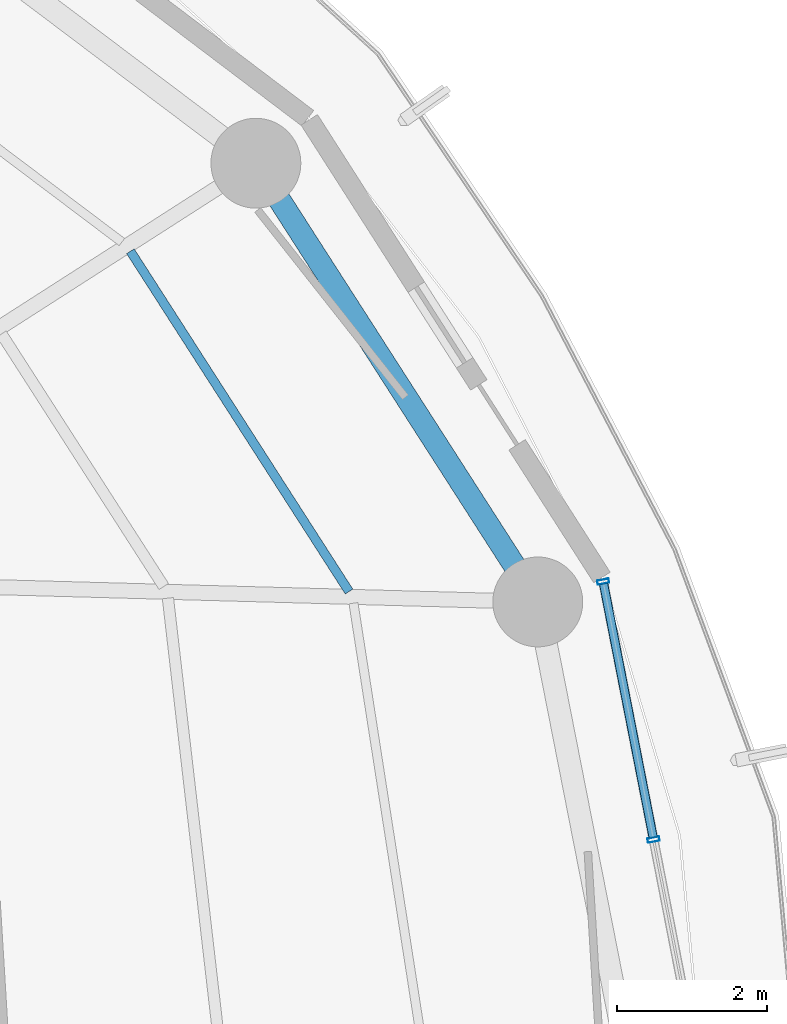
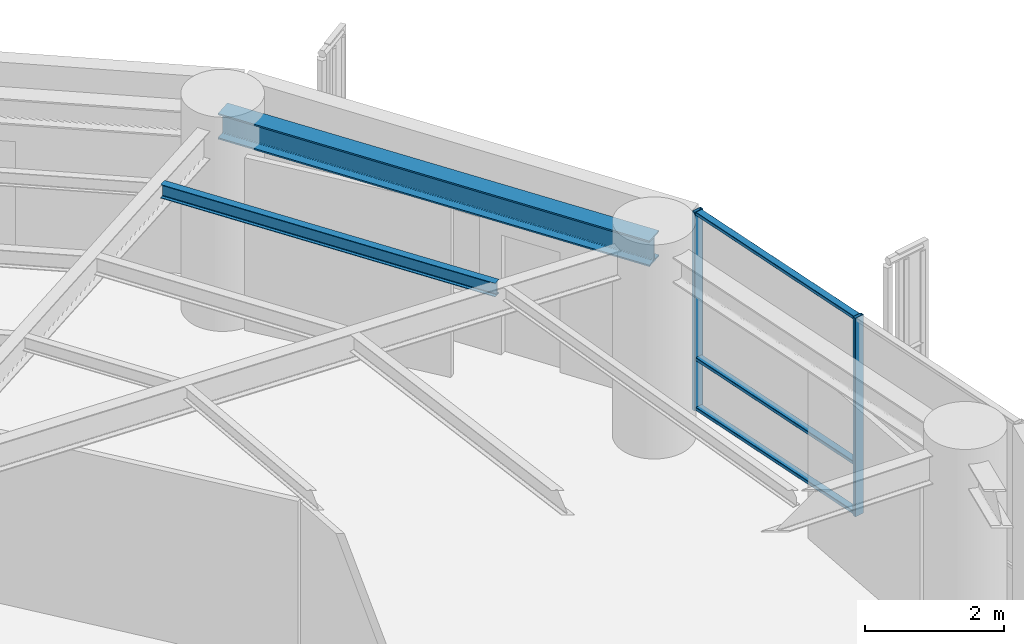
# One storey, part 15 of 27: 5 members, 2 beams, 1 element without a shape of its own.
"""IFC4 building model written with IfcOpenShell, lengths in metres."""

from ifc_helpers import new_model, si_unit, direction, frame, origin, origin_2d, place, context, subcontext, project, spatial, hollow_rectangle, i_section, extrude, material, layer, layer_set, material_profile, profile_set, type_object, element, aggregate, save


model = new_model("IFC4")

# Units and contexts
model_context = context("Model", 3, precision=1e-05, world=origin(), true_north=direction((0.0, 1.0)))
body_context = subcontext(model_context, "Body", "Model", "MODEL_VIEW")
ifc_project = project(units=[si_unit("LENGTHUNIT", "METRE"), si_unit("AREAUNIT", "SQUARE_METRE"), si_unit("VOLUMEUNIT", "CUBIC_METRE"), si_unit("PLANEANGLEUNIT", "RADIAN"), si_unit("MASSUNIT", "GRAM", prefix="KILO")], contexts=[model_context])

# Site, building, storey
site_placement = place(None, origin())
site = spatial("IfcSite", under=ifc_project, at=site_placement, CompositionType="ELEMENT")
building_placement = place(site_placement, origin())
building = spatial("IfcBuilding", under=site, at=building_placement, Name="Kelanora Arch Commons", CompositionType="ELEMENT")
storey_placement = place(building_placement, frame((0.0, 0.0, 146.85009765625)))
storey = spatial("IfcBuildingStorey", under=building, at=storey_placement, Name="L37", CompositionType="ELEMENT", Elevation=146.85009765625)

# Beams
ifc_material_1 = material(Name="Steel S355", Category="steel")
ifc_material_profile_1 = material_profile(ifc_material_1, i_section(OverallWidth=0.1201171875, OverallDepth=0.239990234375, WebThickness=0.006103515625, FlangeThickness=0.009765625, FilletRadius=0.014892578125, at=origin_2d()), Name="IPE240")
ifc_profile_set_1 = profile_set([ifc_material_profile_1], Name="Steel S355")
beam_type_1 = type_object("IfcBeamType", Name="BM-JST-02", PredefinedType="JOIST", material=ifc_profile_set_1)
beam_1_placement = place(storey_placement, frame((91.85205078125, 64.801513671875, 3.369873046875), z_axis=(-0.540581678156, 0.841291536414, 0.0), x_axis=(-0.841291536414, -0.540581678156, 0.0)))
element("IfcBeam", 1, at=beam_1_placement, inside=storey, type_object=beam_type_1, Name="Secondary Chord Joist BJC-02 L37", PredefinedType="JOIST", context=body_context, shape_type="SweptSolid", body=[
    extrude(i_section(OverallWidth=0.1201171875, OverallDepth=0.239990234375, WebThickness=0.006103515625, FlangeThickness=0.009765625, FilletRadius=0.014892578125, at=origin_2d()), origin(), (0.0, 0.0, 1.0), 5.4013671875),
])
ifc_material_profile_2 = material_profile(ifc_material_1, i_section(OverallWidth=0.300048828125, OverallDepth=0.449951171875, WebThickness=0.013916015625, FlangeThickness=0.02587890625, FilletRadius=0.027099609375, at=origin_2d()), Name="HEB450")
ifc_profile_set_2 = profile_set([ifc_material_profile_2], Name="Steel S355")
beam_type_2 = type_object("IfcBeamType", Name="BM-SPN-Z3", PredefinedType="SPANDREL", material=ifc_profile_set_2)
beam_2_placement = place(storey_placement, frame((94.37255859375, 64.66259765625, 3.264892578125), z_axis=(-0.540576852469, 0.841294637196, 0.0), x_axis=(-0.841294637196, -0.540576852469, 0.0)))
element("IfcBeam", 2, at=beam_2_placement, inside=storey, type_object=beam_type_2, Name="Perimeter Spandrel Beam BS-02 L37", PredefinedType="SPANDREL", context=body_context, shape_type="SweptSolid", body=[
    extrude(i_section(OverallWidth=0.300048828125, OverallDepth=0.449951171875, WebThickness=0.013916015625, FlangeThickness=0.02587890625, FilletRadius=0.027099609375, at=origin_2d()), origin(), (0.0, 0.0, 1.0), 6.964111328125),
])

# Curtain wall, members
ifc_material_2 = material(Name="Terracotta ceramic-fritted low-E glass and aluminium", Category="masonry")
ifc_layer = layer(ifc_material_2, 0.175048828125)
ifc_layer_set = layer_set([ifc_layer], Name="Terracotta ceramic-fritted low-E glass and aluminium")
curtain_wall_type = type_object("IfcCurtainWallType", Name="CW-SYS-02", PredefinedType="NOTDEFINED", material=ifc_layer_set)
curtain_wall_placement = place(storey_placement, origin())
curtain_wall = element("IfcCurtainWall", 3, at=curtain_wall_placement, inside=storey, type_object=curtain_wall_type, Name="Unitised Curtain Wall L37-B00", PredefinedType="NOTDEFINED")
ifc_material_3 = material(Name="Powder-coated aluminium terracotta", Category="masonry")
ifc_material_profile_3 = material_profile(ifc_material_3, hollow_rectangle(XDim=0.159912109375, YDim=0.06005859375, WallThickness=0.0048828125, InnerFilletRadius=0.0048828125, OuterFilletRadius=0.010009765625, at=origin_2d()), Name="CWM160x60")
ifc_profile_set_3 = profile_set([ifc_material_profile_3], Name="Powder-coated aluminium terracotta")
member_type_1 = type_object("IfcMemberType", Name="CWM-STD", PredefinedType="MULLION", material=ifc_profile_set_3)
member_1_placement = place(storey_placement, frame((95.91845703125, 61.488525390625, 0.0), z_axis=(0.0, 0.0, 1.0), x_axis=(-0.981452557718, -0.191705182375, 0.0)))
member_1 = element("IfcMember", 4, at=member_1_placement, type_object=member_type_1, Name="CW-02 mullion 2", PredefinedType="MULLION", context=body_context, shape_type="SweptSolid", body=[
    extrude(hollow_rectangle(XDim=0.159912109375, YDim=0.06005859375, WallThickness=0.0048828125, InnerFilletRadius=0.0048828125, OuterFilletRadius=0.010009765625, at=origin_2d()), origin(), (0.0, 0.0, 1.0), 3.474853515625),
])
member_2_placement = place(storey_placement, frame((95.245849609375, 64.93310546875, 0.0), z_axis=(0.0, 0.0, 1.0), x_axis=(-0.981452557718, -0.191705182375, 0.0)))
member_2 = element("IfcMember", 5, at=member_2_placement, type_object=member_type_1, Name="CW-02 mullion 3", PredefinedType="MULLION", context=body_context, shape_type="SweptSolid", body=[
    extrude(hollow_rectangle(XDim=0.159912109375, YDim=0.06005859375, WallThickness=0.0048828125, InnerFilletRadius=0.0048828125, OuterFilletRadius=0.010009765625, at=origin_2d()), origin(), (0.0, 0.0, 1.0), 3.474853515625),
])
ifc_material_profile_4 = material_profile(ifc_material_3, hollow_rectangle(XDim=0.1201171875, YDim=0.06005859375, WallThickness=0.0048828125, InnerFilletRadius=0.0048828125, OuterFilletRadius=0.010009765625, at=origin_2d()), Name="CWT120x60")
ifc_profile_set_4 = profile_set([ifc_material_profile_4], Name="Powder-coated aluminium terracotta")
member_type_2 = type_object("IfcMemberType", Name="CWT-STD", PredefinedType="USERDEFINED", material=ifc_profile_set_4)
member_3_placement = place(storey_placement, frame((95.912841796875, 61.51806640625, 0.02978515625), z_axis=(-0.191731523726, 0.981447412147, 0.0), x_axis=(-0.981447412147, -0.191731523726, 0.0)))
member_3 = element("IfcMember", 6, at=member_3_placement, type_object=member_type_2, Name="CW-02 transom 2.1", ObjectType="TRANSOM", PredefinedType="USERDEFINED", context=body_context, shape_type="SweptSolid", body=[
    extrude(hollow_rectangle(XDim=0.1201171875, YDim=0.06005859375, WallThickness=0.0048828125, InnerFilletRadius=0.0048828125, OuterFilletRadius=0.010009765625, at=origin_2d()), origin(), (0.0, 0.0, 1.0), 3.449462890625),
])
member_4_placement = place(storey_placement, frame((95.912841796875, 61.51806640625, 0.89990234375), z_axis=(-0.191731523726, 0.981447412147, 0.0), x_axis=(-0.981447412147, -0.191731523726, 0.0)))
member_4 = element("IfcMember", 7, at=member_4_placement, type_object=member_type_2, Name="CW-02 transom 2.2", ObjectType="TRANSOM", PredefinedType="USERDEFINED", context=body_context, shape_type="SweptSolid", body=[
    extrude(hollow_rectangle(XDim=0.1201171875, YDim=0.06005859375, WallThickness=0.0048828125, InnerFilletRadius=0.0048828125, OuterFilletRadius=0.010009765625, at=origin_2d()), origin(), (0.0, 0.0, 1.0), 3.449462890625),
])
member_5_placement = place(storey_placement, frame((95.912841796875, 61.51806640625, 3.44482421875), z_axis=(-0.191731523726, 0.981447412147, 0.0), x_axis=(-0.981447412147, -0.191731523726, 0.0)))
member_5 = element("IfcMember", 8, at=member_5_placement, type_object=member_type_2, Name="CW-02 transom 2.3", ObjectType="TRANSOM", PredefinedType="USERDEFINED", context=body_context, shape_type="SweptSolid", body=[
    extrude(hollow_rectangle(XDim=0.1201171875, YDim=0.06005859375, WallThickness=0.0048828125, InnerFilletRadius=0.0048828125, OuterFilletRadius=0.010009765625, at=origin_2d()), origin(), (0.0, 0.0, 1.0), 3.449462890625),
])
aggregate(curtain_wall, [member_1, member_2, member_3, member_4, member_5])

save(model, "model.ifc")
